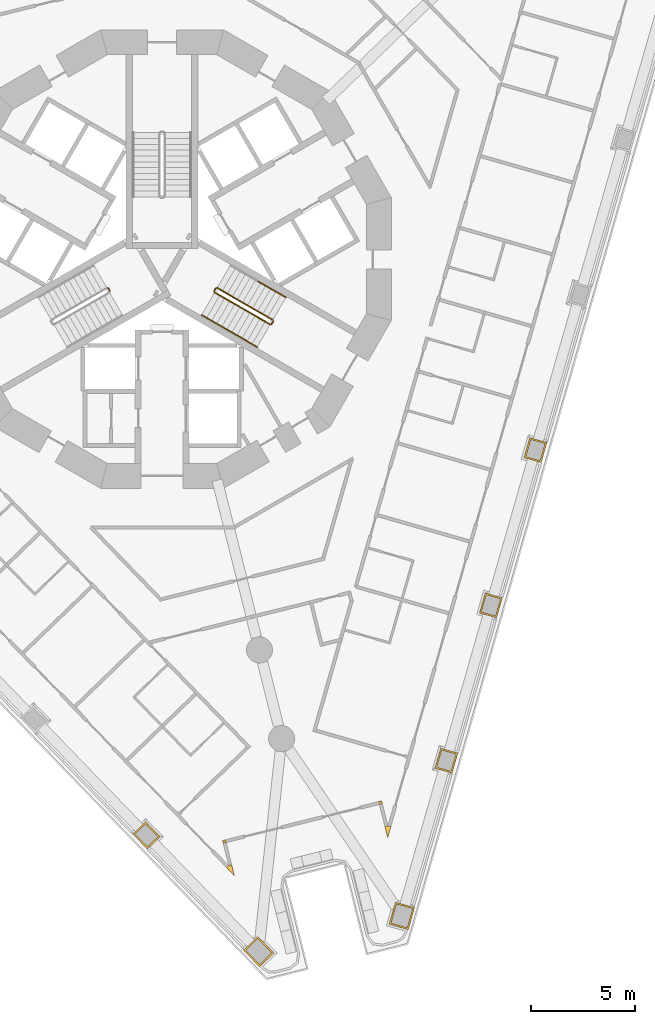
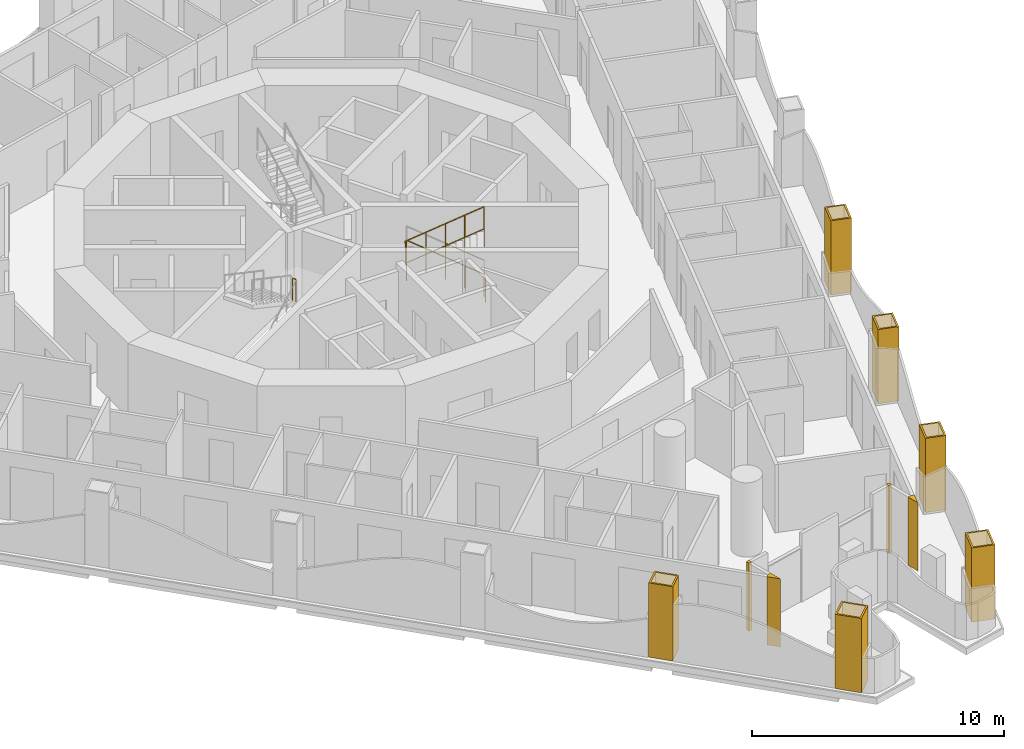
# One storey, part 15 of 20: 10 coverings, 8 railings.
"""IFC4 building model written with IfcOpenShell, lengths in metres."""

import ifcopenshell
import ifcopenshell.guid

model = None  # the IFC model being written
_history = None  # IfcOwnerHistory: only IFC2X3 demands one
_inside = {}  # id of a spatial element -> (the spatial element, [elements in it])
_under = {}  # id of a project, library or spatial element -> (it, [spatial elements below it])
_declared = {}  # id of a project -> (the project, [libraries it declares])
_typed = {}  # id of a type object -> (the type object, [elements of that type])
_made_of = {}  # id of a material, layer set ... -> (it, [elements and type objects made of it])


def new_model(schema):
    """Start an empty IFC model of exactly this schema.

    Asked for "IFC4X3", IfcOpenShell would pick the latest addendum, in which some entities
    have other attributes; the version numbers below select the first issue.
    IFC2X3 requires an IfcOwnerHistory on every rooted entity: one is made here for all.
    """
    global model, _history
    if schema == "IFC4X3":
        model = ifcopenshell.file(schema_version=(4, 3, 0, 0))
    else:
        model = ifcopenshell.file(schema=schema)
    _inside.clear()
    _under.clear()
    _declared.clear()
    _typed.clear()
    _made_of.clear()
    _history = None
    if model.schema == "IFC2X3":
        org = make("IfcOrganization", Name="unknown")
        user = make(
            "IfcPersonAndOrganization",
            ThePerson=make("IfcPerson", FamilyName="unknown"),
            TheOrganization=org,
        )
        app = make(
            "IfcApplication",
            ApplicationDeveloper=org,
            Version="unknown",
            ApplicationFullName="unknown",
            ApplicationIdentifier="unknown",
        )
        _history = make(
            "IfcOwnerHistory",
            OwningUser=user,
            OwningApplication=app,
            ChangeAction="ADDED",
            CreationDate=0,
        )
    return model


def make(cls, **values):
    """One entity of the class cls with the attributes given. An attribute that is None is left unset."""
    return model.create_entity(
        cls, **{name: value for name, value in values.items() if value is not None}
    )


def rooted(cls, **values):
    """An entity with a GlobalId (a new one), such as an element, a storey or a relation."""
    return make(cls, GlobalId=ifcopenshell.guid.new(), OwnerHistory=_history, **values)


def si_unit(unit_type, name, prefix=None):
    """IfcSIUnit, for example si_unit("LENGTHUNIT", "METRE", prefix="MILLI")."""
    return make("IfcSIUnit", UnitType=unit_type, Prefix=prefix, Name=name)


def assignment(units):
    """IfcUnitAssignment: the units of a project."""
    return None if units is None else make("IfcUnitAssignment", Units=units)


def point(xyz):
    """IfcCartesianPoint."""
    return None if xyz is None else make("IfcCartesianPoint", Coordinates=xyz)


def direction(xyz):
    """IfcDirection."""
    return None if xyz is None else make("IfcDirection", DirectionRatios=xyz)


def frame(location, z_axis=None, x_axis=None):
    """IfcAxis2Placement3D, a coordinate frame: its origin and axes. An axis left out is left unset."""
    return make(
        "IfcAxis2Placement3D",
        Location=point(location),
        Axis=direction(z_axis),
        RefDirection=direction(x_axis),
    )


def frame_2d(location, x_axis=None):
    """IfcAxis2Placement2D, a coordinate frame in the plane: its origin and x axis."""
    return make(
        "IfcAxis2Placement2D", Location=point(location), RefDirection=direction(x_axis)
    )


def origin():
    """The frame at (0, 0, 0) with its axes left unset."""
    return frame((0.0, 0.0, 0.0))


def origin_2d():
    """The frame at (0, 0) in the plane with its x axis left unset."""
    return frame_2d((0.0, 0.0))


def place(relative_to, where):
    """IfcLocalPlacement: puts the frame where relative to a parent placement (None: the world)."""
    return make(
        "IfcLocalPlacement", PlacementRelTo=relative_to, RelativePlacement=where
    )


def context(
    kind, dimensions, precision=None, world=None, true_north=None, identifier=None
):
    """IfcGeometricRepresentationContext, for example the 3D "Model" context."""
    return make(
        "IfcGeometricRepresentationContext",
        ContextIdentifier=identifier,
        ContextType=kind,
        CoordinateSpaceDimension=dimensions,
        Precision=precision,
        WorldCoordinateSystem=world,
        TrueNorth=true_north,
    )


def subcontext(parent, identifier, kind, view, scale=None):
    """IfcGeometricRepresentationSubContext, for example "Body" below "Model"."""
    return make(
        "IfcGeometricRepresentationSubContext",
        ContextIdentifier=identifier,
        ContextType=kind,
        ParentContext=parent,
        TargetScale=scale,
        TargetView=view,
    )


def project(units=None, contexts=None):
    """IfcProject with its units and contexts."""
    return rooted(
        "IfcProject",
        Name="project",
        RepresentationContexts=contexts,
        UnitsInContext=assignment(units),
    )


def spatial(cls, under=None, at=None, **own):
    """A site, building, storey or space (cls), placed at a placement, below another one or the project."""
    s = rooted(cls, ObjectPlacement=at, **own)
    if under is not None:
        _under.setdefault(under.id(), (under, []))[1].append(s)
    return s


def polyline(points):
    """IfcPolyline through the points."""
    return make("IfcPolyline", Points=[point(p) for p in points])


def profile(cls, at=None, kind="AREA", **sizes):
    """A parametric profile (cls). Its sizes go by their IFC names, for example OverallWidth=200.0."""
    return make(cls, ProfileType=kind, Position=at, **sizes)


def circle(**sizes):
    """IfcCircleProfileDef."""
    return profile("IfcCircleProfileDef", **sizes)


def outline(outer, holes=None, kind="AREA"):
    """IfcArbitraryClosedProfileDef: a profile drawn as a closed curve; with holes, ...WithVoids."""
    if holes is None:
        return make("IfcArbitraryClosedProfileDef", ProfileType=kind, OuterCurve=outer)
    return make(
        "IfcArbitraryProfileDefWithVoids",
        ProfileType=kind,
        OuterCurve=outer,
        InnerCurves=holes,
    )


def extrude(swept, where, along, depth):
    """IfcExtrudedAreaSolid: the profile swept, set in the frame where, extruded along a direction by depth."""
    return make(
        "IfcExtrudedAreaSolid",
        SweptArea=swept,
        Position=where,
        ExtrudedDirection=direction(along),
        Depth=depth,
    )


def shape(context_of_items, identifier, shape_type, items):
    """IfcShapeRepresentation: the items that make up one representation, for example the "Body"."""
    return make(
        "IfcShapeRepresentation",
        ContextOfItems=context_of_items,
        RepresentationIdentifier=identifier,
        RepresentationType=shape_type,
        Items=items,
    )


def material(Name=None, Category=None):
    """IfcMaterial."""
    return make("IfcMaterial", Name=Name, Category=Category)


def layer(
    of_material, thickness, ventilated=None, Name=None, Category=None, Priority=None
):
    """IfcMaterialLayer: one layer of a wall or slab, of a material (None: an air gap)."""
    return make(
        "IfcMaterialLayer",
        Material=of_material,
        LayerThickness=thickness,
        IsVentilated=ventilated,
        Name=Name,
        Category=Category,
        Priority=Priority,
    )


def layer_set(layers, Name=None):
    """IfcMaterialLayerSet."""
    return make("IfcMaterialLayerSet", MaterialLayers=layers, LayerSetName=Name)


def made_of(thing, what):
    """Note that an element or type object is made of a material, layer set ...; save() writes the relation."""
    if what is not None:
        _made_of.setdefault(what.id(), (what, []))[1].append(thing)
    return thing


def type_object(cls, material=None, **own):
    """A type object (cls), such as IfcWallType, which elements share."""
    return made_of(rooted(cls, **own), material)


def element(
    cls,
    number,
    at=None,
    inside=None,
    cuts=None,
    type_object=None,
    material=None,
    context=None,
    identifier="Body",
    shape_type=None,
    held_by="IfcProductDefinitionShape",
    body=None,
    shapes=None,
    **own,
):
    """One element of the class cls, such as IfcWall. Its Tag is "e" and its number.

    at: its placement. inside: the storey or other place that contains it. cuts: it is an
    opening in that element (IfcRelVoidsElement). A single representation is given by context,
    identifier, shape_type and body (its items); several are given by shapes. held_by: the class
    of the entity that holds the representations. save() writes the other relations.
    """
    e = rooted(cls, Tag="e%d" % number, ObjectPlacement=at, **own)
    if body is not None:
        shapes = [shape(context, identifier, shape_type, body)]
    if shapes is not None:
        e.Representation = make(held_by, Representations=shapes)
    if inside is not None:
        _inside.setdefault(inside.id(), (inside, []))[1].append(e)
    if cuts is not None:
        rooted(
            "IfcRelVoidsElement", RelatingBuildingElement=cuts, RelatedOpeningElement=e
        )
    if type_object is not None:
        _typed.setdefault(type_object.id(), (type_object, []))[1].append(e)
    return made_of(e, material)


def aggregate(whole, parts):
    """IfcRelAggregates: a whole, such as a stair, and the parts it consists of."""
    return rooted("IfcRelAggregates", RelatingObject=whole, RelatedObjects=parts)


def save(model, path):
    """Write the relations noted so far, then the file.

    IfcRelAggregates (storeys below a building ...), IfcRelContainedInSpatialStructure (elements
    in a storey), IfcRelDefinesByType, IfcRelAssociatesMaterial and IfcRelDeclares: one each for
    every whole, place, type object, material and project.
    """
    for whole, parts in _under.values():
        aggregate(whole, parts)
    for where, things in _inside.values():
        rooted(
            "IfcRelContainedInSpatialStructure",
            RelatedElements=things,
            RelatingStructure=where,
        )
    for kind, things in _typed.values():
        rooted("IfcRelDefinesByType", RelatedObjects=things, RelatingType=kind)
    for what, things in _made_of.values():
        rooted("IfcRelAssociatesMaterial", RelatedObjects=things, RelatingMaterial=what)
    for by, libraries in _declared.values():
        rooted("IfcRelDeclares", RelatingContext=by, RelatedDefinitions=libraries)
    model.write(path)


model = new_model("IFC4")

# Units and contexts
model_context = context("Model", 3, precision=1e-05, world=origin(), true_north=direction((0.0, 1.0)))
body_context = subcontext(model_context, "Body", "Model", "MODEL_VIEW")
ifc_project = project(units=[si_unit("LENGTHUNIT", "METRE"), si_unit("AREAUNIT", "SQUARE_METRE"), si_unit("VOLUMEUNIT", "CUBIC_METRE"), si_unit("PLANEANGLEUNIT", "RADIAN"), si_unit("MASSUNIT", "GRAM", prefix="KILO")], contexts=[model_context])

# Site, building, storey
site_placement = place(None, origin())
site = spatial("IfcSite", under=ifc_project, at=site_placement, CompositionType="ELEMENT")
building_placement = place(site_placement, origin())
building = spatial("IfcBuilding", under=site, at=building_placement, Name="Trine Commons Tower", CompositionType="ELEMENT")
storey_placement = place(building_placement, frame((0.0, 0.0, 101.699951171875)))
storey = spatial("IfcBuildingStorey", under=building, at=storey_placement, Name="L25", CompositionType="ELEMENT", Elevation=101.699951171875)

# Coverings
ifc_material_1 = material(Name="Aluminium-framed insulated wall panel", Category="aluminium")
ifc_layer_1 = layer(ifc_material_1, 0.14990234375)
ifc_layer_set_1 = layer_set([ifc_layer_1], Name="Aluminium-framed insulated wall panel")
covering_type_1 = type_object("IfcCoveringType", Name="Glazing corner post, aluminium", PredefinedType="CLADDING", material=ifc_layer_set_1)
covering_1_placement = place(storey_placement, origin())
element("IfcCovering", 1, at=covering_1_placement, inside=storey, type_object=covering_type_1, Name="Glazing corner post 3-09", PredefinedType="CLADDING", context=body_context, shape_type="SweptSolid", body=[
    extrude(outline(polyline([(90.701416015625, 35.24560546875), (90.836669921875, 34.70263671875), (90.990966796875, 35.24072265625), (90.8466796875, 35.281982421875), (90.701416015625, 35.24560546875)])), origin(), (0.0, 0.0, 1.0), 3.300048828125),
])
covering_2_placement = place(storey_placement, origin())
element("IfcCovering", 2, at=covering_2_placement, inside=storey, type_object=covering_type_1, Name="Glazing corner post 3-10", PredefinedType="CLADDING", context=body_context, shape_type="SweptSolid", body=[
    extrude(outline(polyline([(90.40234375, 36.44482421875), (90.438720703125, 36.29931640625), (90.584228515625, 36.33544921875), (90.5478515625, 36.481201171875), (90.40234375, 36.44482421875)])), origin(), (0.0, 0.0, 1.0), 3.300048828125),
])
covering_3_placement = place(storey_placement, origin())
element("IfcCovering", 3, at=covering_3_placement, inside=storey, type_object=covering_type_1, Name="Glazing corner post 3-11", PredefinedType="CLADDING", context=body_context, shape_type="SweptSolid", body=[
    extrude(outline(polyline([(82.938232421875, 34.42919921875), (83.083740234375, 34.465576171875), (83.047607421875, 34.611083984375), (82.90185546875, 34.57470703125), (82.938232421875, 34.42919921875)])), origin(), (0.0, 0.0, 1.0), 3.300048828125),
])
covering_4_placement = place(storey_placement, origin())
element("IfcCovering", 4, at=covering_4_placement, inside=storey, type_object=covering_type_1, Name="Glazing corner post 3-12", PredefinedType="CLADDING", context=body_context, shape_type="SweptSolid", body=[
    extrude(outline(polyline([(83.093017578125, 33.271484375), (83.48193359375, 32.868896484375), (83.346435546875, 33.412109375), (83.200927734375, 33.375732421875), (83.093017578125, 33.271484375)])), origin(), (0.0, 0.0, 1.0), 3.300048828125),
])
ifc_material_2 = material(Name="Limestone, honed", Category="masonry")
ifc_layer_2 = layer(ifc_material_2, 0.074951171875)
ifc_layer_set_2 = layer_set([ifc_layer_2], Name="Limestone, honed")
covering_type_2 = type_object("IfcCoveringType", Name="Limestone column cladding 75", PredefinedType="CLADDING", material=ifc_layer_set_2)
covering_5_placement = place(storey_placement, origin())
element("IfcCovering", 5, at=covering_5_placement, inside=storey, type_object=covering_type_2, Name="Limestone pier cladding 3-01", PredefinedType="CLADDING", context=body_context, shape_type="SweptSolid", body=[
    extrude(outline(polyline([(84.600341796875, 29.961669921875), (83.9169921875, 29.3017578125), (84.68115234375, 28.510498046875), (85.364501953125, 29.17041015625), (84.600341796875, 29.961669921875)]), holes=[polyline([(84.598388671875, 29.85546875), (84.02294921875, 29.2998046875), (84.682861328125, 28.616455078125), (85.25830078125, 29.172119140625), (84.598388671875, 29.85546875)])]), origin(), (0.0, 0.0, 1.0), 3.60009765625),
])
covering_6_placement = place(storey_placement, origin())
element("IfcCovering", 6, at=covering_6_placement, inside=storey, type_object=covering_type_2, Name="Limestone pier cladding 3-02", PredefinedType="CLADDING", context=body_context, shape_type="SweptSolid", body=[
    extrude(outline(polyline([(79.210205078125, 35.47119140625), (78.5986328125, 34.880859375), (79.293212890625, 34.16162109375), (79.90478515625, 34.751953125), (79.210205078125, 35.47119140625)]), holes=[polyline([(79.208251953125, 35.365234375), (78.70458984375, 34.87890625), (79.295166015625, 34.267578125), (79.798583984375, 34.75390625), (79.208251953125, 35.365234375)])]), origin(), (0.0, 0.0, 1.0), 3.60009765625),
])
covering_7_placement = place(storey_placement, origin())
element("IfcCovering", 7, at=covering_7_placement, inside=storey, type_object=covering_type_2, Name="Limestone pier cladding 3-21", PredefinedType="CLADDING", context=body_context, shape_type="SweptSolid", body=[
    extrude(outline(polyline([(98.48046875, 53.685791015625), (97.663330078125, 53.920166015625), (97.3876953125, 52.958984375), (98.20458984375, 52.724609375), (98.48046875, 53.685791015625)]), holes=[polyline([(98.3876953125, 53.634521484375), (97.714599609375, 53.827392578125), (97.48046875, 53.01025390625), (98.1533203125, 52.8173828125), (98.3876953125, 53.634521484375)])]), origin(), (0.0, 0.0, 1.0), 3.60009765625),
])
covering_8_placement = place(storey_placement, origin())
element("IfcCovering", 8, at=covering_8_placement, inside=storey, type_object=covering_type_2, Name="Limestone pier cladding 3-22", PredefinedType="CLADDING", context=body_context, shape_type="SweptSolid", body=[
    extrude(outline(polyline([(96.342041015625, 46.228759765625), (95.52490234375, 46.462890625), (95.249267578125, 45.501708984375), (96.06640625, 45.267333984375), (96.342041015625, 46.228759765625)]), holes=[polyline([(96.249267578125, 46.17724609375), (95.576416015625, 46.3701171875), (95.342041015625, 45.552978515625), (96.014892578125, 45.360107421875), (96.249267578125, 46.17724609375)])]), origin(), (0.0, 0.0, 1.0), 3.60009765625),
])
covering_9_placement = place(storey_placement, origin())
element("IfcCovering", 9, at=covering_9_placement, inside=storey, type_object=covering_type_2, Name="Limestone pier cladding 3-23", PredefinedType="CLADDING", context=body_context, shape_type="SweptSolid", body=[
    extrude(outline(polyline([(94.203857421875, 38.771484375), (93.38671875, 39.005859375), (93.111083984375, 38.044677734375), (93.927978515625, 37.810302734375), (94.203857421875, 38.771484375)]), holes=[polyline([(94.111083984375, 38.72021484375), (93.43798828125, 38.9130859375), (93.203857421875, 38.095947265625), (93.876708984375, 37.903076171875), (94.111083984375, 38.72021484375)])]), origin(), (0.0, 0.0, 1.0), 3.60009765625),
])
covering_10_placement = place(storey_placement, origin())
element("IfcCovering", 10, at=covering_10_placement, inside=storey, type_object=covering_type_2, Name="Limestone pier cladding 3-24", PredefinedType="CLADDING", context=body_context, shape_type="SweptSolid", body=[
    extrude(outline(polyline([(92.127197265625, 31.348876953125), (91.214111328125, 31.610595703125), (90.910888671875, 30.55322265625), (91.82421875, 30.29150390625), (92.127197265625, 31.348876953125)]), holes=[polyline([(92.034423828125, 31.29736328125), (91.265380859375, 31.517822265625), (91.003662109375, 30.604736328125), (91.772705078125, 30.384033203125), (92.034423828125, 31.29736328125)])]), origin(), (0.0, 0.0, 1.0), 3.60009765625),
])

# Railings
ifc_material_3 = material(Name="Stainless steel balustrade", Category="steel")
railing_type_1 = type_object("IfcRailingType", Name="Stair guard, steel balustrade 1100", PredefinedType="GUARDRAIL", material=ifc_material_3)
railing_1_placement = place(storey_placement, frame((77.490966796875, 60.96484375, 1.800048828125)))
element("IfcRailing", 11, at=railing_1_placement, inside=storey, type_object=railing_type_1, Name="L25 ST2A stair guard 2", PredefinedType="GUARDRAIL", context=body_context, shape_type="SweptSolid", body=[
    extrude(circle(Radius=0.02392578125, at=origin_2d()), frame((0.0, 0.0, 1.076171875), z_axis=(-0.501036270542, 0.865426285481, 0.0), x_axis=(-0.865426285481, -0.501036270542, 0.0)), (0.0, 0.0, 1.0), 0.150146484375),
    extrude(circle(Radius=0.02099609375, at=origin_2d()), origin(), (0.0, 0.0, 1.0), 1.052001953125),
    extrude(circle(Radius=0.02099609375, at=origin_2d()), frame((-0.0751953125, 0.1298828125, 0.0)), (0.0, 0.0, 1.0), 1.052001953125),
])
railing_2_placement = place(storey_placement, frame((85.31982421875, 59.572998046875, 0.150146484375)))
element("IfcRailing", 12, at=railing_2_placement, inside=storey, type_object=railing_type_1, Name="L25 ST3A stair guard 1", PredefinedType="GUARDRAIL", context=body_context, shape_type="SweptSolid", body=[
    extrude(circle(Radius=0.02392578125, at=origin_2d()), frame((0.0, 0.0, 1.076171875), z_axis=(-0.76340495495, 0.440743040072, 0.472184759798), x_axis=(-0.499992328818, -0.866029832698, 0.0)), (0.0, 0.0, 1.0), 3.494140625),
    extrude(circle(Radius=0.02099609375, at=origin_2d()), origin(), (0.0, 0.0, 1.0), 1.052001953125),
    extrude(circle(Radius=0.02099609375, at=origin_2d()), frame((-0.6669921875, 0.385009765625, 0.41259765625)), (0.0, 0.0, 1.0), 1.052001953125),
    extrude(circle(Radius=0.02099609375, at=origin_2d()), frame((-1.333740234375, 0.77001953125, 0.824951171875)), (0.0, 0.0, 1.0), 1.052001953125),
    extrude(circle(Radius=0.02099609375, at=origin_2d()), frame((-2.00048828125, 1.155029296875, 1.2373046875)), (0.0, 0.0, 1.0), 1.052001953125),
    extrude(circle(Radius=0.02099609375, at=origin_2d()), frame((-2.66748046875, 1.5400390625, 1.64990234375)), (0.0, 0.0, 1.0), 1.052001953125),
])
railing_3_placement = place(storey_placement, frame((82.584228515625, 61.0947265625, 1.800048828125)))
element("IfcRailing", 13, at=railing_3_placement, inside=storey, type_object=railing_type_1, Name="L25 ST3A stair guard 2", PredefinedType="GUARDRAIL", context=body_context, shape_type="SweptSolid", body=[
    extrude(circle(Radius=0.02392578125, at=origin_2d()), frame((0.0, 0.0, 1.076171875), z_axis=(-0.501036270542, -0.865426285481, 0.0), x_axis=(0.865426285481, -0.501036270542, 0.0)), (0.0, 0.0, 1.0), 0.150146484375),
    extrude(circle(Radius=0.02099609375, at=origin_2d()), origin(), (0.0, 0.0, 1.0), 1.052001953125),
    extrude(circle(Radius=0.02099609375, at=origin_2d()), frame((-0.0751953125, -0.1298828125, 0.0)), (0.0, 0.0, 1.0), 1.052001953125),
])
railing_4_placement = place(storey_placement, frame((82.52734375, 60.896484375, 1.949951171875)))
element("IfcRailing", 14, at=railing_4_placement, inside=storey, type_object=railing_type_1, Name="L25 ST3A stair guard 3", PredefinedType="GUARDRAIL", context=body_context, shape_type="SweptSolid", body=[
    extrude(circle(Radius=0.02392578125, at=origin_2d()), frame((0.0, 0.0, 1.076171875), z_axis=(0.763379768245, -0.440728498818, 0.472239049384), x_axis=(0.499992328818, 0.866029832698, 0.0)), (0.0, 0.0, 1.0), 3.494384765625),
    extrude(circle(Radius=0.02099609375, at=origin_2d()), origin(), (0.0, 0.0, 1.0), 1.052001953125),
    extrude(circle(Radius=0.02099609375, at=origin_2d()), frame((0.6669921875, -0.385009765625, 0.41259765625)), (0.0, 0.0, 1.0), 1.052001953125),
    extrude(circle(Radius=0.02099609375, at=origin_2d()), frame((1.333740234375, -0.77001953125, 0.8251953125)), (0.0, 0.0, 1.0), 1.052001953125),
    extrude(circle(Radius=0.02099609375, at=origin_2d()), frame((2.00048828125, -1.155029296875, 1.237548828125)), (0.0, 0.0, 1.0), 1.052001953125),
    extrude(circle(Radius=0.02099609375, at=origin_2d()), frame((2.66748046875, -1.5400390625, 1.650146484375)), (0.0, 0.0, 1.0), 1.052001953125),
])
railing_5_placement = place(storey_placement, frame((85.338134765625, 59.504638671875, 0.0)))
element("IfcRailing", 15, at=railing_5_placement, inside=storey, type_object=railing_type_1, Name="L25 ST3A stair guard 4", PredefinedType="GUARDRAIL", context=body_context, shape_type="SweptSolid", body=[
    extrude(circle(Radius=0.02392578125, at=origin_2d()), frame((0.0, 0.0, 1.076171875), z_axis=(-0.499816412211, -0.866131372301, 0.0), x_axis=(0.866131372301, -0.499816412211, 0.0)), (0.0, 0.0, 1.0), 0.14990234375),
    extrude(circle(Radius=0.02099609375, at=origin_2d()), origin(), (0.0, 0.0, 1.0), 1.052001953125),
    extrude(circle(Radius=0.02099609375, at=origin_2d()), frame((-0.074951171875, -0.1298828125, 0.0)), (0.0, 0.0, 1.0), 1.052001953125),
])
ifc_material_4 = material(Name="Stainless steel handrail", Category="steel")
railing_type_2 = type_object("IfcRailingType", Name="Stair handrail, steel 900", PredefinedType="HANDRAIL", material=ifc_material_4)
railing_6_placement = place(storey_placement, frame((85.94482421875, 60.655517578125, 0.150146484375)))
element("IfcRailing", 16, at=railing_6_placement, inside=storey, type_object=railing_type_2, Name="L25 ST3A stair handrail 1", PredefinedType="HANDRAIL", context=body_context, shape_type="SweptSolid", body=[
    extrude(circle(Radius=0.02099609375, at=origin_2d()), frame((0.0, 0.0, 0.87890625), z_axis=(-0.76340495495, 0.440743040072, 0.472184759798), x_axis=(-0.499992328818, -0.866029832698, 0.0)), (0.0, 0.0, 1.0), 1.7470703125),
    extrude(circle(Radius=0.01513671875, at=origin_2d()), origin(), (0.0, 0.0, 1.0), 0.85791015625),
    extrude(circle(Radius=0.01513671875, at=origin_2d()), frame((-0.6669921875, 0.385009765625, 0.41259765625)), (0.0, 0.0, 1.0), 0.85791015625),
    extrude(circle(Radius=0.01513671875, at=origin_2d()), frame((-1.333740234375, 0.77001953125, 0.824951171875)), (0.0, 0.0, 1.0), 0.85791015625),
])
railing_7_placement = place(storey_placement, frame((81.90234375, 59.81396484375, 1.949951171875)))
element("IfcRailing", 17, at=railing_7_placement, inside=storey, type_object=railing_type_2, Name="L25 ST3A stair handrail 3", PredefinedType="HANDRAIL", context=body_context, shape_type="SweptSolid", body=[
    extrude(circle(Radius=0.02099609375, at=origin_2d()), frame((0.0, 0.0, 0.87890625), z_axis=(0.763354580307, -0.440713956853, 0.472293333596), x_axis=(0.499992328818, 0.866029832698, 0.0)), (0.0, 0.0, 1.0), 1.747314453125),
    extrude(circle(Radius=0.01513671875, at=origin_2d()), origin(), (0.0, 0.0, 1.0), 0.85791015625),
    extrude(circle(Radius=0.01513671875, at=origin_2d()), frame((0.6669921875, -0.385009765625, 0.41259765625)), (0.0, 0.0, 1.0), 0.85791015625),
    extrude(circle(Radius=0.01513671875, at=origin_2d()), frame((1.333740234375, -0.77001953125, 0.8251953125)), (0.0, 0.0, 1.0), 0.85791015625),
])
railing_8_placement = place(storey_placement, frame((83.236083984375, 59.0439453125, 2.775146484375)))
element("IfcRailing", 18, at=railing_8_placement, inside=storey, type_object=railing_type_2, Name="L25 ST3A stair handrail 4", PredefinedType="HANDRAIL", context=body_context, shape_type="SweptSolid", body=[
    extrude(circle(Radius=0.02099609375, at=origin_2d()), frame((0.0, 0.0, 0.87890625), z_axis=(0.76340495495, -0.440743040072, 0.472184759798), x_axis=(0.499992328818, 0.866029832698, 0.0)), (0.0, 0.0, 1.0), 1.7470703125),
    extrude(circle(Radius=0.01513671875, at=origin_2d()), origin(), (0.0, 0.0, 1.0), 0.85791015625),
    extrude(circle(Radius=0.01513671875, at=origin_2d()), frame((0.6669921875, -0.385009765625, 0.41259765625)), (0.0, 0.0, 1.0), 0.85791015625),
    extrude(circle(Radius=0.01513671875, at=origin_2d()), frame((1.333740234375, -0.77001953125, 0.824951171875)), (0.0, 0.0, 1.0), 0.85791015625),
])

save(model, "model.ifc")
